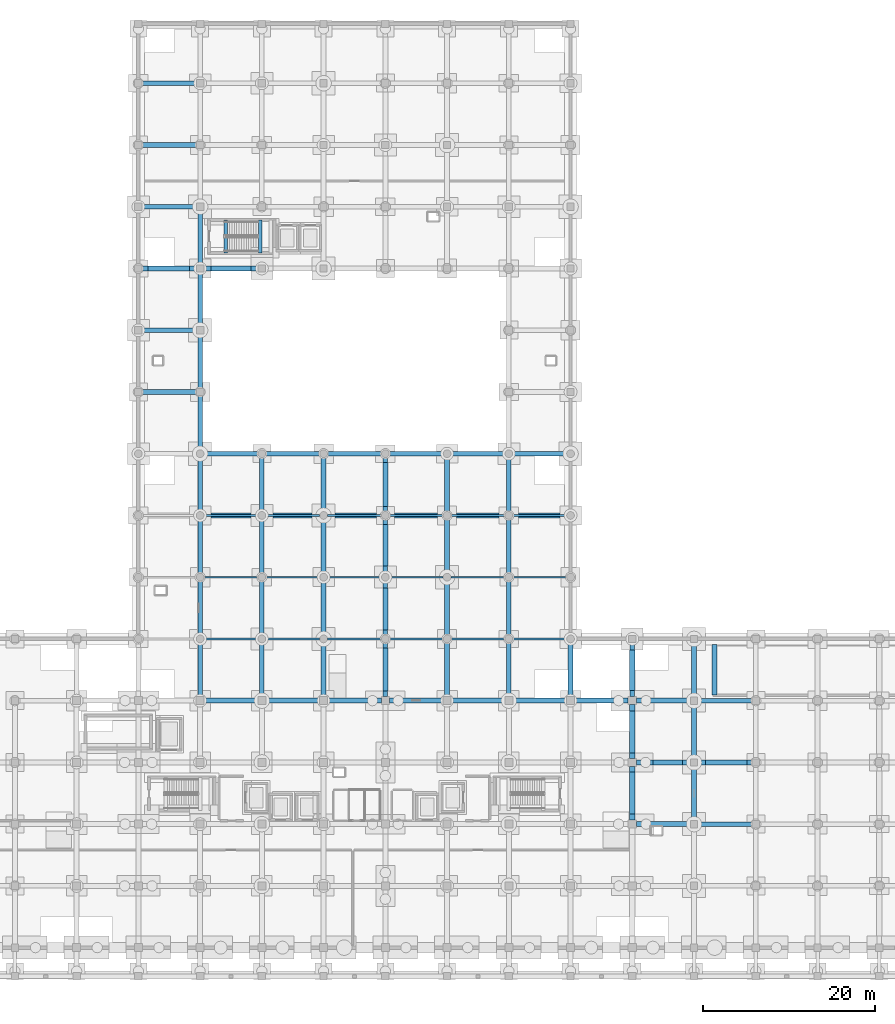
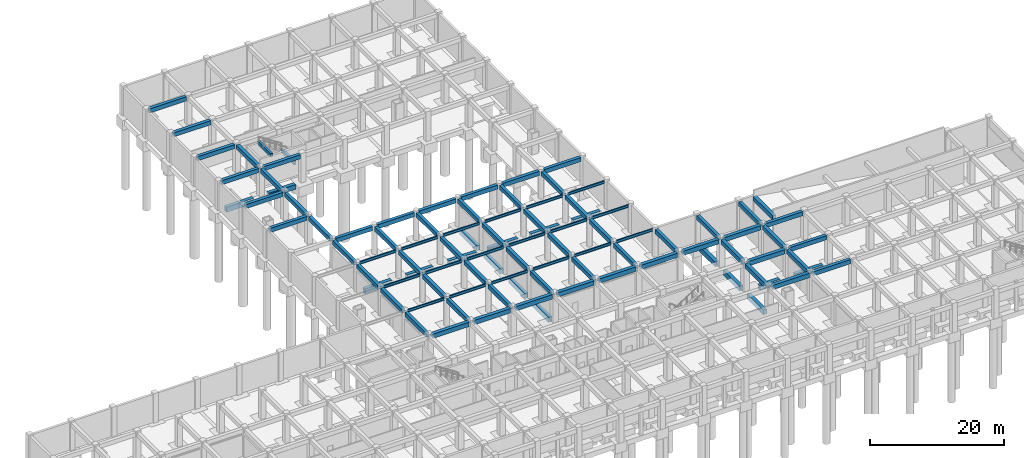
# One storey, part 10 of 26: 99 beams.
"""IFC4 building model written with IfcOpenShell, lengths in metres."""

from ifc_helpers import new_model, si_unit, direction, frame, origin, origin_2d, place, context, subcontext, project, spatial, rectangle, i_section, extrude, material, material_profile, profile_set, type_object, element, save


model = new_model("IFC4")

# Units and contexts
model_context = context("Model", 3, precision=1e-05, world=origin(), true_north=direction((0.0, 1.0)))
body_context = subcontext(model_context, "Body", "Model", "MODEL_VIEW")
ifc_project = project(units=[si_unit("LENGTHUNIT", "METRE"), si_unit("AREAUNIT", "SQUARE_METRE"), si_unit("VOLUMEUNIT", "CUBIC_METRE"), si_unit("PLANEANGLEUNIT", "RADIAN"), si_unit("MASSUNIT", "GRAM", prefix="KILO")], contexts=[model_context])

# Site, building, storey
site_placement = place(None, origin())
site = spatial("IfcSite", under=ifc_project, at=site_placement, CompositionType="ELEMENT")
building_placement = place(site_placement, origin())
building = spatial("IfcBuilding", under=site, at=building_placement, Name="Kazehaya Institute of Natural Sciences", CompositionType="ELEMENT")
storey_placement = place(building_placement, frame((0.0, 0.0, -5.39990234375)))
storey = spatial("IfcBuildingStorey", under=building, at=storey_placement, Name="B1", CompositionType="ELEMENT", Elevation=-5.39990234375)

# Beams
ifc_material_1 = material(Name="Concrete Fc36", Category="concrete")
ifc_material_profile_1 = material_profile(ifc_material_1, rectangle(XDim=0.39990234375, YDim=0.60009765625, at=origin_2d()), Name="RC-400x600")
ifc_profile_set_1 = profile_set([ifc_material_profile_1], Name="Concrete Fc36")
beam_type_1 = type_object("IfcBeamType", Name="BM-B-400x600", PredefinedType="BEAM", material=ifc_profile_set_1)
for number, where, z_axis, x_axis, name in (
    (1, (72.0, 87.820068359375, 5.099853515625), (0.0, 1.0, 0.0), (-1.0, 0.0, 0.0), "L00 ST-3 stair header trimmer beam"),
    (2, (76.030029296875, 87.820068359375, 2.239990234375), (0.0, 1.0, 0.0), (-1.0, 0.0, 0.0), "B1 ST-3 landing beam 1"),
):
    element("IfcBeam", number, at=place(storey_placement, frame(where, z_axis=z_axis, x_axis=x_axis)), inside=storey, type_object=beam_type_1, Name=name, PredefinedType="BEAM", context=body_context, shape_type="SweptSolid", body=[
        extrude(rectangle(XDim=0.39990234375, YDim=0.60009765625, at=origin_2d()), origin(), (0.0, 0.0, 1.0), 3.83984375),
    ])
ifc_material_profile_2 = material_profile(ifc_material_1, rectangle(XDim=0.550048828125, YDim=0.75, at=origin_2d()), Name="RC-550x750")
ifc_profile_set_2 = profile_set([ifc_material_profile_2], Name="Concrete Fc36")
beam_type_2 = type_object("IfcBeamType", Name="BM-G-550x750", PredefinedType="BEAM", material=ifc_profile_set_2)
for number, where, z_axis, x_axis, name in (
    (3, (127.02490234375, 21.199951171875, 4.744873046875), (1.0, 0.0, 0.0), (0.0, 1.0, 0.0), "B1 primary X girder BMX-B1-1266-212"),
    (4, (127.02490234375, 28.39990234375, 4.744873046875), (1.0, 0.0, 0.0), (0.0, 1.0, 0.0), "B1 primary X girder BMX-B1-1266-284"),
    (5, (127.02490234375, 35.60009765625, 4.744873046875), (1.0, 0.0, 0.0), (0.0, 1.0, 0.0), "B1 primary X girder BMX-B1-1266-356"),
):
    element("IfcBeam", number, at=place(storey_placement, frame(where, z_axis=z_axis, x_axis=x_axis)), inside=storey, type_object=beam_type_2, Name=name, PredefinedType="BEAM", context=body_context, shape_type="SweptSolid", body=[
        extrude(rectangle(XDim=0.550048828125, YDim=0.75, at=origin_2d()), origin(), (0.0, 0.0, 1.0), 6.35009765625),
    ])
for number, where, z_axis, x_axis, name in (
    (6, (69.449951171875, 64.39990234375, 4.744873046875), (1.0, 0.0, 0.0), (0.0, 1.0, 0.0), "B1 primary X girder BMX-B1-690-644"),
    (7, (76.64990234375, 64.39990234375, 4.744873046875), (1.0, 0.0, 0.0), (0.0, 1.0, 0.0), "B1 primary X girder BMX-B1-762-644"),
):
    element("IfcBeam", number, at=place(storey_placement, frame(where, z_axis=z_axis, x_axis=x_axis)), inside=storey, type_object=beam_type_2, Name=name, PredefinedType="BEAM", context=body_context, shape_type="SweptSolid", body=[
        extrude(rectangle(XDim=0.550048828125, YDim=0.75, at=origin_2d()), origin(), (0.0, 0.0, 1.0), 6.300048828125),
    ])
beam_1_placement = place(storey_placement, frame((83.85009765625, 64.39990234375, 4.744873046875), z_axis=(1.0, 0.0, 0.0), x_axis=(0.0, 1.0, 0.0)))
element("IfcBeam", 8, at=beam_1_placement, inside=storey, type_object=beam_type_2, Name="B1 primary X girder BMX-B1-834-644", PredefinedType="BEAM", context=body_context, shape_type="SweptSolid", body=[
    extrude(rectangle(XDim=0.550048828125, YDim=0.75, at=origin_2d()), origin(), (0.0, 0.0, 1.0), 6.2998046875),
])
for number, where, z_axis, x_axis, name in (
    (9, (91.050048828125, 64.39990234375, 4.744873046875), (1.0, 0.0, 0.0), (0.0, 1.0, 0.0), "B1 primary X girder BMX-B1-906-644"),
    (10, (98.25, 64.39990234375, 4.744873046875), (1.0, 0.0, 0.0), (0.0, 1.0, 0.0), "B1 primary X girder BMX-B1-978-644"),
    (11, (105.449951171875, 64.39990234375, 4.744873046875), (1.0, 0.0, 0.0), (0.0, 1.0, 0.0), "B1 primary X girder BMX-B1-1050-644"),
):
    element("IfcBeam", number, at=place(storey_placement, frame(where, z_axis=z_axis, x_axis=x_axis)), inside=storey, type_object=beam_type_2, Name=name, PredefinedType="BEAM", context=body_context, shape_type="SweptSolid", body=[
        extrude(rectangle(XDim=0.550048828125, YDim=0.75, at=origin_2d()), origin(), (0.0, 0.0, 1.0), 6.300048828125),
    ])
for number, where, z_axis, x_axis, name in (
    (12, (62.22509765625, 71.60009765625, 4.744873046875), (1.0, 0.0, 0.0), (0.0, 1.0, 0.0), "B1 primary X girder BMX-B1-618-716"),
    (13, (62.22509765625, 78.800048828125, 4.744873046875), (1.0, 0.0, 0.0), (0.0, 1.0, 0.0), "B1 primary X girder BMX-B1-618-788"),
    (14, (62.22509765625, 86.0, 4.744873046875), (1.0, 0.0, 0.0), (0.0, 1.0, 0.0), "B1 primary X girder BMX-B1-618-860"),
    (15, (69.425048828125, 86.0, 4.744873046875), (1.0, 0.0, 0.0), (0.0, 1.0, 0.0), "B1 primary X girder BMX-B1-690-860"),
    (16, (62.22509765625, 93.199951171875, 4.744873046875), (1.0, 0.0, 0.0), (0.0, 1.0, 0.0), "B1 primary X girder BMX-B1-618-932"),
    (17, (62.22509765625, 100.39990234375, 4.744873046875), (1.0, 0.0, 0.0), (0.0, 1.0, 0.0), "B1 primary X girder BMX-B1-618-1004"),
    (18, (62.22509765625, 107.60009765625, 4.744873046875), (1.0, 0.0, 0.0), (0.0, 1.0, 0.0), "B1 primary X girder BMX-B1-618-1076"),
):
    element("IfcBeam", number, at=place(storey_placement, frame(where, z_axis=z_axis, x_axis=x_axis)), inside=storey, type_object=beam_type_2, Name=name, PredefinedType="BEAM", context=body_context, shape_type="SweptSolid", body=[
        extrude(rectangle(XDim=0.550048828125, YDim=0.75, at=origin_2d()), origin(), (0.0, 0.0, 1.0), 6.349853515625),
    ])
beam_2_placement = place(storey_placement, frame((69.0, 36.074951171875, 4.744873046875), z_axis=(0.0, 1.0, 0.0), x_axis=(-1.0, 0.0, 0.0)))
element("IfcBeam", 19, at=beam_2_placement, inside=storey, type_object=beam_type_2, Name="B1 primary Y girder BMY-B1-690-356", PredefinedType="BEAM", context=body_context, shape_type="SweptSolid", body=[
    extrude(rectangle(XDim=0.550048828125, YDim=0.75, at=origin_2d()), origin(), (0.0, 0.0, 1.0), 6.275146484375),
])
for number, where, z_axis, x_axis, name in (
    (20, (69.0, 43.25, 4.744873046875), (0.0, 1.0, 0.0), (-1.0, 0.0, 0.0), "B1 primary Y girder BMY-B1-690-428"),
    (21, (69.0, 50.449951171875, 4.744873046875), (0.0, 1.0, 0.0), (-1.0, 0.0, 0.0), "B1 primary Y girder BMY-B1-690-500"),
    (22, (69.0, 57.64990234375, 4.744873046875), (0.0, 1.0, 0.0), (-1.0, 0.0, 0.0), "B1 primary Y girder BMY-B1-690-572"),
):
    element("IfcBeam", number, at=place(storey_placement, frame(where, z_axis=z_axis, x_axis=x_axis)), inside=storey, type_object=beam_type_2, Name=name, PredefinedType="BEAM", context=body_context, shape_type="SweptSolid", body=[
        extrude(rectangle(XDim=0.550048828125, YDim=0.75, at=origin_2d()), origin(), (0.0, 0.0, 1.0), 6.300048828125),
    ])
beam_3_placement = place(storey_placement, frame((69.0, 64.85009765625, 4.744873046875), z_axis=(0.0, 1.0, 0.0), x_axis=(-1.0, 0.0, 0.0)))
element("IfcBeam", 23, at=beam_3_placement, inside=storey, type_object=beam_type_2, Name="B1 primary Y girder BMY-B1-690-644", PredefinedType="BEAM", context=body_context, shape_type="SweptSolid", body=[
    extrude(rectangle(XDim=0.550048828125, YDim=0.75, at=origin_2d()), origin(), (0.0, 0.0, 1.0), 6.324951171875),
])
beam_4_placement = place(storey_placement, frame((69.0, 72.02490234375, 4.744873046875), z_axis=(0.0, 1.0, 0.0), x_axis=(-1.0, 0.0, 0.0)))
element("IfcBeam", 24, at=beam_4_placement, inside=storey, type_object=beam_type_2, Name="B1 primary Y girder BMY-B1-690-716", PredefinedType="BEAM", context=body_context, shape_type="SweptSolid", body=[
    extrude(rectangle(XDim=0.550048828125, YDim=0.75, at=origin_2d()), origin(), (0.0, 0.0, 1.0), 6.35009765625),
])
for number, where, z_axis, x_axis, name in (
    (25, (69.0, 79.22509765625, 4.744873046875), (0.0, 1.0, 0.0), (-1.0, 0.0, 0.0), "B1 primary Y girder BMY-B1-690-788"),
    (26, (69.0, 86.425048828125, 4.744873046875), (0.0, 1.0, 0.0), (-1.0, 0.0, 0.0), "B1 primary Y girder BMY-B1-690-860"),
):
    element("IfcBeam", number, at=place(storey_placement, frame(where, z_axis=z_axis, x_axis=x_axis)), inside=storey, type_object=beam_type_2, Name=name, PredefinedType="BEAM", context=body_context, shape_type="SweptSolid", body=[
        extrude(rectangle(XDim=0.550048828125, YDim=0.75, at=origin_2d()), origin(), (0.0, 0.0, 1.0), 6.349853515625),
    ])
beam_5_placement = place(storey_placement, frame((76.199951171875, 36.074951171875, 4.744873046875), z_axis=(0.0, 1.0, 0.0), x_axis=(-1.0, 0.0, 0.0)))
element("IfcBeam", 27, at=beam_5_placement, inside=storey, type_object=beam_type_2, Name="B1 primary Y girder BMY-B1-762-356", PredefinedType="BEAM", context=body_context, shape_type="SweptSolid", body=[
    extrude(rectangle(XDim=0.550048828125, YDim=0.75, at=origin_2d()), origin(), (0.0, 0.0, 1.0), 6.275146484375),
])
for number, where, z_axis, x_axis, name in (
    (28, (76.199951171875, 43.25, 4.744873046875), (0.0, 1.0, 0.0), (-1.0, 0.0, 0.0), "B1 primary Y girder BMY-B1-762-428"),
    (29, (76.199951171875, 50.449951171875, 4.744873046875), (0.0, 1.0, 0.0), (-1.0, 0.0, 0.0), "B1 primary Y girder BMY-B1-762-500"),
    (30, (76.199951171875, 57.64990234375, 4.744873046875), (0.0, 1.0, 0.0), (-1.0, 0.0, 0.0), "B1 primary Y girder BMY-B1-762-572"),
):
    element("IfcBeam", number, at=place(storey_placement, frame(where, z_axis=z_axis, x_axis=x_axis)), inside=storey, type_object=beam_type_2, Name=name, PredefinedType="BEAM", context=body_context, shape_type="SweptSolid", body=[
        extrude(rectangle(XDim=0.550048828125, YDim=0.75, at=origin_2d()), origin(), (0.0, 0.0, 1.0), 6.300048828125),
    ])
beam_6_placement = place(storey_placement, frame((83.39990234375, 36.074951171875, 4.744873046875), z_axis=(0.0, 1.0, 0.0), x_axis=(-1.0, 0.0, 0.0)))
element("IfcBeam", 31, at=beam_6_placement, inside=storey, type_object=beam_type_2, Name="B1 primary Y girder BMY-B1-834-356", PredefinedType="BEAM", context=body_context, shape_type="SweptSolid", body=[
    extrude(rectangle(XDim=0.550048828125, YDim=0.75, at=origin_2d()), origin(), (0.0, 0.0, 1.0), 6.275146484375),
])
for number, where, z_axis, x_axis, name in (
    (32, (83.39990234375, 43.25, 4.744873046875), (0.0, 1.0, 0.0), (-1.0, 0.0, 0.0), "B1 primary Y girder BMY-B1-834-428"),
    (33, (83.39990234375, 50.449951171875, 4.744873046875), (0.0, 1.0, 0.0), (-1.0, 0.0, 0.0), "B1 primary Y girder BMY-B1-834-500"),
    (34, (83.39990234375, 57.64990234375, 4.744873046875), (0.0, 1.0, 0.0), (-1.0, 0.0, 0.0), "B1 primary Y girder BMY-B1-834-572"),
):
    element("IfcBeam", number, at=place(storey_placement, frame(where, z_axis=z_axis, x_axis=x_axis)), inside=storey, type_object=beam_type_2, Name=name, PredefinedType="BEAM", context=body_context, shape_type="SweptSolid", body=[
        extrude(rectangle(XDim=0.550048828125, YDim=0.75, at=origin_2d()), origin(), (0.0, 0.0, 1.0), 6.300048828125),
    ])
beam_7_placement = place(storey_placement, frame((90.60009765625, 36.074951171875, 4.744873046875), z_axis=(0.0, 1.0, 0.0), x_axis=(-1.0, 0.0, 0.0)))
element("IfcBeam", 35, at=beam_7_placement, inside=storey, type_object=beam_type_2, Name="B1 primary Y girder BMY-B1-906-356", PredefinedType="BEAM", context=body_context, shape_type="SweptSolid", body=[
    extrude(rectangle(XDim=0.550048828125, YDim=0.75, at=origin_2d()), origin(), (0.0, 0.0, 1.0), 6.275146484375),
])
for number, where, z_axis, x_axis, name in (
    (36, (90.60009765625, 43.25, 4.744873046875), (0.0, 1.0, 0.0), (-1.0, 0.0, 0.0), "B1 primary Y girder BMY-B1-906-428"),
    (37, (90.60009765625, 50.449951171875, 4.744873046875), (0.0, 1.0, 0.0), (-1.0, 0.0, 0.0), "B1 primary Y girder BMY-B1-906-500"),
    (38, (90.60009765625, 57.64990234375, 4.744873046875), (0.0, 1.0, 0.0), (-1.0, 0.0, 0.0), "B1 primary Y girder BMY-B1-906-572"),
):
    element("IfcBeam", number, at=place(storey_placement, frame(where, z_axis=z_axis, x_axis=x_axis)), inside=storey, type_object=beam_type_2, Name=name, PredefinedType="BEAM", context=body_context, shape_type="SweptSolid", body=[
        extrude(rectangle(XDim=0.550048828125, YDim=0.75, at=origin_2d()), origin(), (0.0, 0.0, 1.0), 6.300048828125),
    ])
beam_8_placement = place(storey_placement, frame((97.800048828125, 36.074951171875, 4.744873046875), z_axis=(0.0, 1.0, 0.0), x_axis=(-1.0, 0.0, 0.0)))
element("IfcBeam", 39, at=beam_8_placement, inside=storey, type_object=beam_type_2, Name="B1 primary Y girder BMY-B1-978-356", PredefinedType="BEAM", context=body_context, shape_type="SweptSolid", body=[
    extrude(rectangle(XDim=0.550048828125, YDim=0.75, at=origin_2d()), origin(), (0.0, 0.0, 1.0), 6.275146484375),
])
for number, where, z_axis, x_axis, name in (
    (40, (97.800048828125, 43.25, 4.744873046875), (0.0, 1.0, 0.0), (-1.0, 0.0, 0.0), "B1 primary Y girder BMY-B1-978-428"),
    (41, (97.800048828125, 50.449951171875, 4.744873046875), (0.0, 1.0, 0.0), (-1.0, 0.0, 0.0), "B1 primary Y girder BMY-B1-978-500"),
    (42, (97.800048828125, 57.64990234375, 4.744873046875), (0.0, 1.0, 0.0), (-1.0, 0.0, 0.0), "B1 primary Y girder BMY-B1-978-572"),
):
    element("IfcBeam", number, at=place(storey_placement, frame(where, z_axis=z_axis, x_axis=x_axis)), inside=storey, type_object=beam_type_2, Name=name, PredefinedType="BEAM", context=body_context, shape_type="SweptSolid", body=[
        extrude(rectangle(XDim=0.550048828125, YDim=0.75, at=origin_2d()), origin(), (0.0, 0.0, 1.0), 6.300048828125),
    ])
beam_9_placement = place(storey_placement, frame((105.0, 36.074951171875, 4.744873046875), z_axis=(0.0, 1.0, 0.0), x_axis=(-1.0, 0.0, 0.0)))
element("IfcBeam", 43, at=beam_9_placement, inside=storey, type_object=beam_type_2, Name="B1 primary Y girder BMY-B1-1050-356", PredefinedType="BEAM", context=body_context, shape_type="SweptSolid", body=[
    extrude(rectangle(XDim=0.550048828125, YDim=0.75, at=origin_2d()), origin(), (0.0, 0.0, 1.0), 6.275146484375),
])
for number, where, z_axis, x_axis, name in (
    (44, (105.0, 43.25, 4.744873046875), (0.0, 1.0, 0.0), (-1.0, 0.0, 0.0), "B1 primary Y girder BMY-B1-1050-428"),
    (45, (105.0, 50.449951171875, 4.744873046875), (0.0, 1.0, 0.0), (-1.0, 0.0, 0.0), "B1 primary Y girder BMY-B1-1050-500"),
    (46, (105.0, 57.64990234375, 4.744873046875), (0.0, 1.0, 0.0), (-1.0, 0.0, 0.0), "B1 primary Y girder BMY-B1-1050-572"),
):
    element("IfcBeam", number, at=place(storey_placement, frame(where, z_axis=z_axis, x_axis=x_axis)), inside=storey, type_object=beam_type_2, Name=name, PredefinedType="BEAM", context=body_context, shape_type="SweptSolid", body=[
        extrude(rectangle(XDim=0.550048828125, YDim=0.75, at=origin_2d()), origin(), (0.0, 0.0, 1.0), 6.300048828125),
    ])
beam_10_placement = place(storey_placement, frame((112.199951171875, 36.074951171875, 4.744873046875), z_axis=(0.0, 1.0, 0.0), x_axis=(-1.0, 0.0, 0.0)))
element("IfcBeam", 47, at=beam_10_placement, inside=storey, type_object=beam_type_2, Name="B1 primary Y girder BMY-B1-1122-356", PredefinedType="BEAM", context=body_context, shape_type="SweptSolid", body=[
    extrude(rectangle(XDim=0.550048828125, YDim=0.75, at=origin_2d()), origin(), (0.0, 0.0, 1.0), 6.275146484375),
])
beam_11_placement = place(storey_placement, frame((119.39990234375, 36.074951171875, 4.744873046875), z_axis=(0.0, 1.0, 0.0), x_axis=(-1.0, 0.0, 0.0)))
element("IfcBeam", 48, at=beam_11_placement, inside=storey, type_object=beam_type_2, Name="B1 primary Y girder BMY-B1-1194-356", PredefinedType="BEAM", context=body_context, shape_type="SweptSolid", body=[
    extrude(rectangle(XDim=0.550048828125, YDim=0.75, at=origin_2d()), origin(), (0.0, 0.0, 1.0), 6.300048828125),
])
for number, where, z_axis, x_axis, name in (
    (49, (126.60009765625, 21.625, 4.744873046875), (0.0, 1.0, 0.0), (-1.0, 0.0, 0.0), "B1 primary Y girder BMY-B1-1266-212"),
    (50, (126.60009765625, 28.824951171875, 4.744873046875), (0.0, 1.0, 0.0), (-1.0, 0.0, 0.0), "B1 primary Y girder BMY-B1-1266-284"),
    (51, (126.60009765625, 36.02490234375, 4.744873046875), (0.0, 1.0, 0.0), (-1.0, 0.0, 0.0), "B1 primary Y girder BMY-B1-1266-356"),
):
    element("IfcBeam", number, at=place(storey_placement, frame(where, z_axis=z_axis, x_axis=x_axis)), inside=storey, type_object=beam_type_2, Name=name, PredefinedType="BEAM", context=body_context, shape_type="SweptSolid", body=[
        extrude(rectangle(XDim=0.550048828125, YDim=0.75, at=origin_2d()), origin(), (0.0, 0.0, 1.0), 6.35009765625),
    ])
ifc_material_profile_3 = material_profile(ifc_material_1, rectangle(XDim=0.60009765625, YDim=0.800048828125, at=origin_2d()), Name="RC-600x800")
ifc_profile_set_3 = profile_set([ifc_material_profile_3], Name="Concrete Fc36")
beam_type_3 = type_object("IfcBeamType", Name="BM-G-600x800", PredefinedType="BEAM", material=ifc_profile_set_3)
for number, where, z_axis, x_axis, name in (
    (52, (119.875, 21.199951171875, 4.719970703125), (1.0, 0.0, 0.0), (0.0, 1.0, 0.0), "B1 primary X girder BMX-B1-1194-212"),
    (53, (119.875, 28.39990234375, 4.719970703125), (1.0, 0.0, 0.0), (0.0, 1.0, 0.0), "B1 primary X girder BMX-B1-1194-284"),
):
    element("IfcBeam", number, at=place(storey_placement, frame(where, z_axis=z_axis, x_axis=x_axis)), inside=storey, type_object=beam_type_3, Name=name, PredefinedType="BEAM", context=body_context, shape_type="SweptSolid", body=[
        extrude(rectangle(XDim=0.60009765625, YDim=0.800048828125, at=origin_2d()), origin(), (0.0, 0.0, 1.0), 6.300048828125),
    ])
for number, where, z_axis, x_axis, name in (
    (54, (69.47509765625, 35.60009765625, 4.719970703125), (1.0, 0.0, 0.0), (0.0, 1.0, 0.0), "B1 primary X girder BMX-B1-690-356"),
    (55, (76.675048828125, 35.60009765625, 4.719970703125), (1.0, 0.0, 0.0), (0.0, 1.0, 0.0), "B1 primary X girder BMX-B1-762-356"),
    (56, (83.875, 35.60009765625, 4.719970703125), (1.0, 0.0, 0.0), (0.0, 1.0, 0.0), "B1 primary X girder BMX-B1-834-356"),
    (57, (91.074951171875, 35.60009765625, 4.719970703125), (1.0, 0.0, 0.0), (0.0, 1.0, 0.0), "B1 primary X girder BMX-B1-906-356"),
    (58, (98.27490234375, 35.60009765625, 4.719970703125), (1.0, 0.0, 0.0), (0.0, 1.0, 0.0), "B1 primary X girder BMX-B1-978-356"),
    (59, (105.47509765625, 35.60009765625, 4.719970703125), (1.0, 0.0, 0.0), (0.0, 1.0, 0.0), "B1 primary X girder BMX-B1-1050-356"),
    (60, (112.675048828125, 35.60009765625, 4.719970703125), (1.0, 0.0, 0.0), (0.0, 1.0, 0.0), "B1 primary X girder BMX-B1-1122-356"),
):
    element("IfcBeam", number, at=place(storey_placement, frame(where, z_axis=z_axis, x_axis=x_axis)), inside=storey, type_object=beam_type_3, Name=name, PredefinedType="BEAM", context=body_context, shape_type="SweptSolid", body=[
        extrude(rectangle(XDim=0.60009765625, YDim=0.800048828125, at=origin_2d()), origin(), (0.0, 0.0, 1.0), 6.25),
    ])
beam_12_placement = place(storey_placement, frame((119.875, 35.60009765625, 4.719970703125), z_axis=(1.0, 0.0, 0.0), x_axis=(0.0, 1.0, 0.0)))
element("IfcBeam", 61, at=beam_12_placement, inside=storey, type_object=beam_type_3, Name="B1 primary X girder BMX-B1-1194-356", PredefinedType="BEAM", context=body_context, shape_type="SweptSolid", body=[
    extrude(rectangle(XDim=0.60009765625, YDim=0.800048828125, at=origin_2d()), origin(), (0.0, 0.0, 1.0), 6.300048828125),
])
for number, where, z_axis, x_axis, name in (
    (62, (119.39990234375, 21.675048828125, 4.719970703125), (0.0, 1.0, 0.0), (-1.0, 0.0, 0.0), "B1 primary Y girder BMY-B1-1194-212"),
    (63, (119.39990234375, 28.875, 4.719970703125), (0.0, 1.0, 0.0), (-1.0, 0.0, 0.0), "B1 primary Y girder BMY-B1-1194-284"),
):
    element("IfcBeam", number, at=place(storey_placement, frame(where, z_axis=z_axis, x_axis=x_axis)), inside=storey, type_object=beam_type_3, Name=name, PredefinedType="BEAM", context=body_context, shape_type="SweptSolid", body=[
        extrude(rectangle(XDim=0.60009765625, YDim=0.800048828125, at=origin_2d()), origin(), (0.0, 0.0, 1.0), 6.25),
    ])
beam_13_placement = place(storey_placement, frame((129.0, 36.25, 5.0), z_axis=(0.0, 1.0, 0.0), x_axis=(-1.0, 0.0, 0.0)))
element("IfcBeam", 64, at=beam_13_placement, inside=storey, type_object=beam_type_3, Name="Car park ramp top landing support girder", PredefinedType="BEAM", context=body_context, shape_type="SweptSolid", body=[
    extrude(rectangle(XDim=0.60009765625, YDim=0.800048828125, at=origin_2d()), origin(), (0.0, 0.0, 1.0), 5.89990234375),
])
ifc_material_2 = material(Name="Structural steel SN490B", Category="steel")
ifc_material_profile_4 = material_profile(ifc_material_2, i_section(OverallWidth=0.199951171875, OverallDepth=0.5, WebThickness=0.010009765625, FlangeThickness=0.01611328125, FilletRadius=0.01611328125, at=origin_2d()), Name="H-500x200x10x16")
ifc_profile_set_4 = profile_set([ifc_material_profile_4], Name="Structural steel SN490B")
beam_type_4 = type_object("IfcBeamType", Name="BM-STL-H500", PredefinedType="BEAM", material=ifc_profile_set_4)
for number, where, z_axis, x_axis, name in (
    (65, (69.449951171875, 42.800048828125, 4.869873046875), (1.0, 0.0, 0.0), (0.0, 1.0, 0.0), "B1 primary X girder BMX-B1-690-428"),
    (66, (76.64990234375, 42.800048828125, 4.869873046875), (1.0, 0.0, 0.0), (0.0, 1.0, 0.0), "B1 primary X girder BMX-B1-762-428"),
):
    element("IfcBeam", number, at=place(storey_placement, frame(where, z_axis=z_axis, x_axis=x_axis)), inside=storey, type_object=beam_type_4, Name=name, PredefinedType="BEAM", context=body_context, shape_type="SweptSolid", body=[
        extrude(i_section(OverallWidth=0.199951171875, OverallDepth=0.5, WebThickness=0.010009765625, FlangeThickness=0.01611328125, FilletRadius=0.01611328125, at=origin_2d()), origin(), (0.0, 0.0, 1.0), 6.300048828125),
    ])
beam_14_placement = place(storey_placement, frame((83.85009765625, 42.800048828125, 4.869873046875), z_axis=(1.0, 0.0, 0.0), x_axis=(0.0, 1.0, 0.0)))
element("IfcBeam", 67, at=beam_14_placement, inside=storey, type_object=beam_type_4, Name="B1 primary X girder BMX-B1-834-428", PredefinedType="BEAM", context=body_context, shape_type="SweptSolid", body=[
    extrude(i_section(OverallWidth=0.199951171875, OverallDepth=0.5, WebThickness=0.010009765625, FlangeThickness=0.01611328125, FilletRadius=0.01611328125, at=origin_2d()), origin(), (0.0, 0.0, 1.0), 6.2998046875),
])
for number, where, z_axis, x_axis, name in (
    (68, (91.050048828125, 42.800048828125, 4.869873046875), (1.0, 0.0, 0.0), (0.0, 1.0, 0.0), "B1 primary X girder BMX-B1-906-428"),
    (69, (98.25, 42.800048828125, 4.869873046875), (1.0, 0.0, 0.0), (0.0, 1.0, 0.0), "B1 primary X girder BMX-B1-978-428"),
    (70, (105.449951171875, 42.800048828125, 4.869873046875), (1.0, 0.0, 0.0), (0.0, 1.0, 0.0), "B1 primary X girder BMX-B1-1050-428"),
    (71, (69.449951171875, 50.0, 4.869873046875), (1.0, 0.0, 0.0), (0.0, 1.0, 0.0), "B1 primary X girder BMX-B1-690-500"),
    (72, (76.64990234375, 50.0, 4.869873046875), (1.0, 0.0, 0.0), (0.0, 1.0, 0.0), "B1 primary X girder BMX-B1-762-500"),
):
    element("IfcBeam", number, at=place(storey_placement, frame(where, z_axis=z_axis, x_axis=x_axis)), inside=storey, type_object=beam_type_4, Name=name, PredefinedType="BEAM", context=body_context, shape_type="SweptSolid", body=[
        extrude(i_section(OverallWidth=0.199951171875, OverallDepth=0.5, WebThickness=0.010009765625, FlangeThickness=0.01611328125, FilletRadius=0.01611328125, at=origin_2d()), origin(), (0.0, 0.0, 1.0), 6.300048828125),
    ])
beam_15_placement = place(storey_placement, frame((83.85009765625, 50.0, 4.869873046875), z_axis=(1.0, 0.0, 0.0), x_axis=(0.0, 1.0, 0.0)))
element("IfcBeam", 73, at=beam_15_placement, inside=storey, type_object=beam_type_4, Name="B1 primary X girder BMX-B1-834-500", PredefinedType="BEAM", context=body_context, shape_type="SweptSolid", body=[
    extrude(i_section(OverallWidth=0.199951171875, OverallDepth=0.5, WebThickness=0.010009765625, FlangeThickness=0.01611328125, FilletRadius=0.01611328125, at=origin_2d()), origin(), (0.0, 0.0, 1.0), 6.2998046875),
])
for number, where, z_axis, x_axis, name in (
    (74, (91.050048828125, 50.0, 4.869873046875), (1.0, 0.0, 0.0), (0.0, 1.0, 0.0), "B1 primary X girder BMX-B1-906-500"),
    (75, (98.25, 50.0, 4.869873046875), (1.0, 0.0, 0.0), (0.0, 1.0, 0.0), "B1 primary X girder BMX-B1-978-500"),
    (76, (105.449951171875, 50.0, 4.869873046875), (1.0, 0.0, 0.0), (0.0, 1.0, 0.0), "B1 primary X girder BMX-B1-1050-500"),
    (77, (69.449951171875, 57.199951171875, 4.869873046875), (1.0, 0.0, 0.0), (0.0, 1.0, 0.0), "B1 primary X girder BMX-B1-690-572"),
    (78, (76.64990234375, 57.199951171875, 4.869873046875), (1.0, 0.0, 0.0), (0.0, 1.0, 0.0), "B1 primary X girder BMX-B1-762-572"),
):
    element("IfcBeam", number, at=place(storey_placement, frame(where, z_axis=z_axis, x_axis=x_axis)), inside=storey, type_object=beam_type_4, Name=name, PredefinedType="BEAM", context=body_context, shape_type="SweptSolid", body=[
        extrude(i_section(OverallWidth=0.199951171875, OverallDepth=0.5, WebThickness=0.010009765625, FlangeThickness=0.01611328125, FilletRadius=0.01611328125, at=origin_2d()), origin(), (0.0, 0.0, 1.0), 6.300048828125),
    ])
beam_16_placement = place(storey_placement, frame((83.85009765625, 57.199951171875, 4.869873046875), z_axis=(1.0, 0.0, 0.0), x_axis=(0.0, 1.0, 0.0)))
element("IfcBeam", 79, at=beam_16_placement, inside=storey, type_object=beam_type_4, Name="B1 primary X girder BMX-B1-834-572", PredefinedType="BEAM", context=body_context, shape_type="SweptSolid", body=[
    extrude(i_section(OverallWidth=0.199951171875, OverallDepth=0.5, WebThickness=0.010009765625, FlangeThickness=0.01611328125, FilletRadius=0.01611328125, at=origin_2d()), origin(), (0.0, 0.0, 1.0), 6.2998046875),
])
for number, where, z_axis, x_axis, name in (
    (80, (91.050048828125, 57.199951171875, 4.869873046875), (1.0, 0.0, 0.0), (0.0, 1.0, 0.0), "B1 primary X girder BMX-B1-906-572"),
    (81, (98.25, 57.199951171875, 4.869873046875), (1.0, 0.0, 0.0), (0.0, 1.0, 0.0), "B1 primary X girder BMX-B1-978-572"),
    (82, (105.449951171875, 57.199951171875, 4.869873046875), (1.0, 0.0, 0.0), (0.0, 1.0, 0.0), "B1 primary X girder BMX-B1-1050-572"),
):
    element("IfcBeam", number, at=place(storey_placement, frame(where, z_axis=z_axis, x_axis=x_axis)), inside=storey, type_object=beam_type_4, Name=name, PredefinedType="BEAM", context=body_context, shape_type="SweptSolid", body=[
        extrude(i_section(OverallWidth=0.199951171875, OverallDepth=0.5, WebThickness=0.010009765625, FlangeThickness=0.01611328125, FilletRadius=0.01611328125, at=origin_2d()), origin(), (0.0, 0.0, 1.0), 6.300048828125),
    ])
ifc_material_profile_5 = material_profile(ifc_material_1, rectangle(XDim=0.60009765625, YDim=0.89990234375, at=origin_2d()), Name="RC-600x900")
ifc_profile_set_5 = profile_set([ifc_material_profile_5], Name="Concrete Fc36")
beam_type_5 = type_object("IfcBeamType", Name="BM-TB-600x900", PredefinedType="T_BEAM", material=ifc_profile_set_5)
beam_17_placement = place(storey_placement, frame((121.800048828125, 28.39990234375, -0.4501953125), z_axis=(1.0, 0.0, 0.0), x_axis=(0.0, 1.0, 0.0)))
element("IfcBeam", 83, at=beam_17_placement, inside=storey, type_object=beam_type_5, Name="Foundation tie beam TB-X-017", PredefinedType="T_BEAM", context=body_context, shape_type="SweptSolid", body=[
    extrude(rectangle(XDim=0.60009765625, YDim=0.89990234375, at=origin_2d()), origin(), (0.0, 0.0, 1.0), 3.449951171875),
])
beam_18_placement = place(storey_placement, frame((127.949951171875, 28.39990234375, -0.4501953125), z_axis=(1.0, 0.0, 0.0), x_axis=(0.0, 1.0, 0.0)))
element("IfcBeam", 84, at=beam_18_placement, inside=storey, type_object=beam_type_5, Name="Foundation tie beam TB-X-018", PredefinedType="T_BEAM", context=body_context, shape_type="SweptSolid", body=[
    extrude(rectangle(XDim=0.60009765625, YDim=0.89990234375, at=origin_2d()), origin(), (0.0, 0.0, 1.0), 4.800048828125),
])
beam_19_placement = place(storey_placement, frame((70.25, 57.199951171875, -0.4501953125), z_axis=(1.0, 0.0, 0.0), x_axis=(0.0, 1.0, 0.0)))
element("IfcBeam", 85, at=beam_19_placement, inside=storey, type_object=beam_type_5, Name="Foundation tie beam TB-X-025", PredefinedType="T_BEAM", context=body_context, shape_type="SweptSolid", body=[
    extrude(rectangle(XDim=0.60009765625, YDim=0.89990234375, at=origin_2d()), origin(), (0.0, 0.0, 1.0), 4.675048828125),
])
beam_20_placement = place(storey_placement, frame((77.47509765625, 57.199951171875, -0.4501953125), z_axis=(1.0, 0.0, 0.0), x_axis=(0.0, 1.0, 0.0)))
element("IfcBeam", 86, at=beam_20_placement, inside=storey, type_object=beam_type_5, Name="Foundation tie beam TB-X-026", PredefinedType="T_BEAM", context=body_context, shape_type="SweptSolid", body=[
    extrude(rectangle(XDim=0.60009765625, YDim=0.89990234375, at=origin_2d()), origin(), (0.0, 0.0, 1.0), 4.574951171875),
])
beam_21_placement = place(storey_placement, frame((84.75, 57.199951171875, -0.4501953125), z_axis=(1.0, 0.0, 0.0), x_axis=(0.0, 1.0, 0.0)))
element("IfcBeam", 87, at=beam_21_placement, inside=storey, type_object=beam_type_5, Name="Foundation tie beam TB-X-027", PredefinedType="T_BEAM", context=body_context, shape_type="SweptSolid", body=[
    extrude(rectangle(XDim=0.60009765625, YDim=0.89990234375, at=origin_2d()), origin(), (0.0, 0.0, 1.0), 4.800048828125),
])
beam_22_placement = place(storey_placement, frame((91.64990234375, 57.199951171875, -0.4501953125), z_axis=(1.0, 0.0, 0.0), x_axis=(0.0, 1.0, 0.0)))
element("IfcBeam", 88, at=beam_22_placement, inside=storey, type_object=beam_type_5, Name="Foundation tie beam TB-X-028", PredefinedType="T_BEAM", context=body_context, shape_type="SweptSolid", body=[
    extrude(rectangle(XDim=0.60009765625, YDim=0.89990234375, at=origin_2d()), origin(), (0.0, 0.0, 1.0), 5.025146484375),
])
beam_23_placement = place(storey_placement, frame((98.925048828125, 57.199951171875, -0.4501953125), z_axis=(1.0, 0.0, 0.0), x_axis=(0.0, 1.0, 0.0)))
element("IfcBeam", 89, at=beam_23_placement, inside=storey, type_object=beam_type_5, Name="Foundation tie beam TB-X-029", PredefinedType="T_BEAM", context=body_context, shape_type="SweptSolid", body=[
    extrude(rectangle(XDim=0.60009765625, YDim=0.89990234375, at=origin_2d()), origin(), (0.0, 0.0, 1.0), 4.925048828125),
])
for number, where, z_axis, x_axis, name in (
    (90, (106.14990234375, 57.199951171875, -0.4501953125), (1.0, 0.0, 0.0), (0.0, 1.0, 0.0), "Foundation tie beam TB-X-030"),
    (91, (62.949951171875, 86.0, -0.4501953125), (1.0, 0.0, 0.0), (0.0, 1.0, 0.0), "Foundation tie beam TB-X-031"),
):
    element("IfcBeam", number, at=place(storey_placement, frame(where, z_axis=z_axis, x_axis=x_axis)), inside=storey, type_object=beam_type_5, Name=name, PredefinedType="T_BEAM", context=body_context, shape_type="SweptSolid", body=[
        extrude(rectangle(XDim=0.60009765625, YDim=0.89990234375, at=origin_2d()), origin(), (0.0, 0.0, 1.0), 4.800048828125),
    ])
beam_24_placement = place(storey_placement, frame((70.25, 86.0, -0.4501953125), z_axis=(1.0, 0.0, 0.0), x_axis=(0.0, 1.0, 0.0)))
element("IfcBeam", 92, at=beam_24_placement, inside=storey, type_object=beam_type_5, Name="Foundation tie beam TB-X-032", PredefinedType="T_BEAM", context=body_context, shape_type="SweptSolid", body=[
    extrude(rectangle(XDim=0.60009765625, YDim=0.89990234375, at=origin_2d()), origin(), (0.0, 0.0, 1.0), 4.675048828125),
])
beam_25_placement = place(storey_placement, frame((90.60009765625, 36.75, -0.4501953125), z_axis=(0.0, 1.0, 0.0), x_axis=(-1.0, 0.0, 0.0)))
element("IfcBeam", 93, at=beam_25_placement, inside=storey, type_object=beam_type_5, Name="Foundation tie beam TB-Y-056", PredefinedType="T_BEAM", context=body_context, shape_type="SweptSolid", body=[
    extrude(rectangle(XDim=0.60009765625, YDim=0.89990234375, at=origin_2d()), origin(), (0.0, 0.0, 1.0), 5.0),
])
for number, where, z_axis, x_axis, name in (
    (94, (90.60009765625, 43.85009765625, -0.4501953125), (0.0, 1.0, 0.0), (-1.0, 0.0, 0.0), "Foundation tie beam TB-Y-057"),
    (95, (90.60009765625, 51.27490234375, -0.4501953125), (0.0, 1.0, 0.0), (-1.0, 0.0, 0.0), "Foundation tie beam TB-Y-058"),
):
    element("IfcBeam", number, at=place(storey_placement, frame(where, z_axis=z_axis, x_axis=x_axis)), inside=storey, type_object=beam_type_5, Name=name, PredefinedType="T_BEAM", context=body_context, shape_type="SweptSolid", body=[
        extrude(rectangle(XDim=0.60009765625, YDim=0.89990234375, at=origin_2d()), origin(), (0.0, 0.0, 1.0), 4.875),
    ])
beam_26_placement = place(storey_placement, frame((90.60009765625, 58.25, -0.4501953125), z_axis=(0.0, 1.0, 0.0), x_axis=(-1.0, 0.0, 0.0)))
element("IfcBeam", 96, at=beam_26_placement, inside=storey, type_object=beam_type_5, Name="Foundation tie beam TB-Y-059", PredefinedType="T_BEAM", context=body_context, shape_type="SweptSolid", body=[
    extrude(rectangle(XDim=0.60009765625, YDim=0.89990234375, at=origin_2d()), origin(), (0.0, 0.0, 1.0), 5.14990234375),
])
beam_27_placement = place(storey_placement, frame((119.39990234375, 22.39990234375, -0.4501953125), z_axis=(0.0, 1.0, 0.0), x_axis=(-1.0, 0.0, 0.0)))
element("IfcBeam", 97, at=beam_27_placement, inside=storey, type_object=beam_type_5, Name="Foundation tie beam TB-Y-066", PredefinedType="T_BEAM", context=body_context, shape_type="SweptSolid", body=[
    extrude(rectangle(XDim=0.60009765625, YDim=0.89990234375, at=origin_2d()), origin(), (0.0, 0.0, 1.0), 4.900146484375),
])
beam_28_placement = place(storey_placement, frame((119.39990234375, 29.5, -0.4501953125), z_axis=(0.0, 1.0, 0.0), x_axis=(-1.0, 0.0, 0.0)))
element("IfcBeam", 98, at=beam_28_placement, inside=storey, type_object=beam_type_5, Name="Foundation tie beam TB-Y-067", PredefinedType="T_BEAM", context=body_context, shape_type="SweptSolid", body=[
    extrude(rectangle(XDim=0.60009765625, YDim=0.89990234375, at=origin_2d()), origin(), (0.0, 0.0, 1.0), 4.89990234375),
])
beam_29_placement = place(storey_placement, frame((119.39990234375, 36.800048828125, -0.4501953125), z_axis=(0.0, 1.0, 0.0), x_axis=(-1.0, 0.0, 0.0)))
element("IfcBeam", 99, at=beam_29_placement, inside=storey, type_object=beam_type_5, Name="Foundation tie beam TB-Y-068", PredefinedType="T_BEAM", context=body_context, shape_type="SweptSolid", body=[
    extrude(rectangle(XDim=0.60009765625, YDim=0.89990234375, at=origin_2d()), origin(), (0.0, 0.0, 1.0), 4.724853515625),
])

save(model, "model.ifc")
